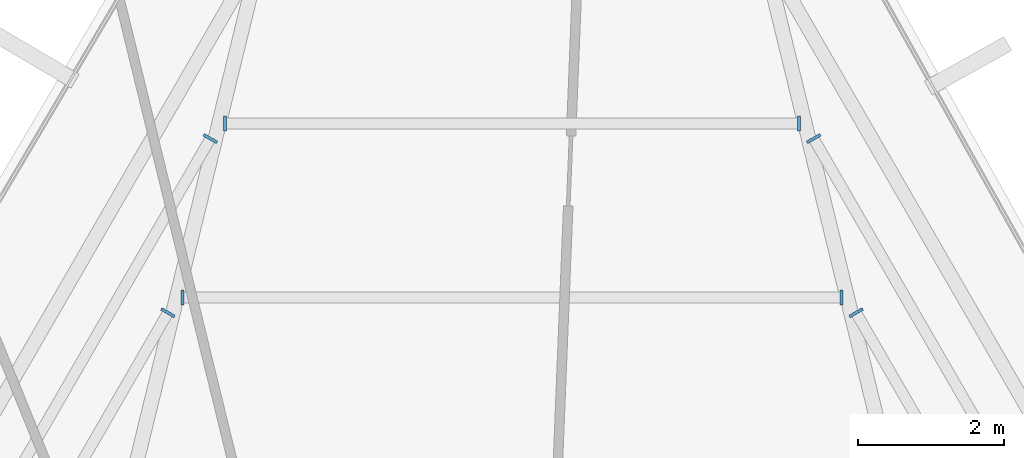
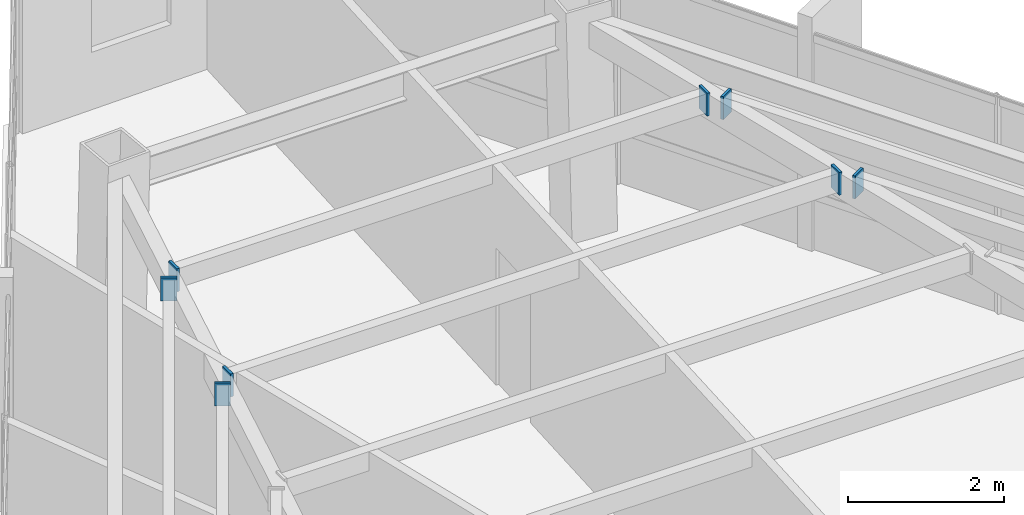
# One storey, part 42 of 48: 8 plates.
"""IFC4 building model written with IfcOpenShell, lengths in metres."""

from ifc_helpers import new_model, si_unit, direction, frame, origin, origin_2d, place, context, subcontext, project, spatial, rectangle, extrude, source, transform, mapped, material, layer, layer_set, type_object, type_shapes, element, save


model = new_model("IFC4")

# Units and contexts
model_context = context("Model", 3, precision=1e-05, world=origin(), true_north=direction((0.0, 1.0)))
body_context = subcontext(model_context, "Body", "Model", "MODEL_VIEW")
ifc_project = project(units=[si_unit("LENGTHUNIT", "METRE"), si_unit("AREAUNIT", "SQUARE_METRE"), si_unit("VOLUMEUNIT", "CUBIC_METRE"), si_unit("PLANEANGLEUNIT", "RADIAN"), si_unit("MASSUNIT", "GRAM", prefix="KILO")], contexts=[model_context])

# Site, building, storey
site_placement = place(None, origin())
site = spatial("IfcSite", under=ifc_project, at=site_placement, CompositionType="ELEMENT")
building_placement = place(site_placement, origin())
building = spatial("IfcBuilding", under=site, at=building_placement, Name="Caelisora Broadcast Tower", CompositionType="ELEMENT")
storey_placement = place(building_placement, frame((0.0, 0.0, 270.0)))
storey = spatial("IfcBuildingStorey", under=building, at=storey_placement, Name="L71", CompositionType="ELEMENT", Elevation=270.0)

# Plates
ifc_material = material(Name="Steel Grade 350 L15 (AS/NZS 3678)", Category="steel")
ifc_layer = layer(ifc_material, 0.0400390625, Name="Steel Grade 350 L15 (AS/NZS 3678)")
ifc_layer_set = layer_set([ifc_layer], Name="Steel Grade 350 L15 (AS/NZS 3678)")
plate_type = type_object("IfcPlateType", Name="GP04", PredefinedType="USERDEFINED", material=ifc_layer_set)
shared_shape = source(origin(), body_context, "Body", "SweptSolid", [
    extrude(rectangle(XDim=0.2099609375, YDim=0.0400390625, at=origin_2d()), origin(), (0.0, 0.0, 1.0), 0.360107421875),
])
type_shapes(plate_type, [shared_shape])
for number, where, z_axis, x_axis, name in (
    (1, (42.515625, 41.93212890625, 3.06982421875), (0.0, 0.0, 1.0), (0.0, -1.0, 0.0), "L71 gusset plate GP04 (ND-SB-L71-005A)"),
    (2, (33.484375, 41.93212890625, 3.06982421875), (0.0, 0.0, 1.0), (0.0, -1.0, 0.0), "L71 gusset plate GP04 (ND-SB-L71-005B)"),
    (3, (41.934814453125, 44.318603515625, 3.06982421875), (0.0, 0.0, 1.0), (0.0, -1.0, 0.0), "L71 gusset plate GP04 (ND-SB-L71-006A)"),
    (4, (34.065185546875, 44.318603515625, 3.06982421875), (0.0, 0.0, 1.0), (0.0, -1.0, 0.0), "L71 gusset plate GP04 (ND-SB-L71-006B)"),
    (5, (33.2841796875, 41.72412109375, 3.06982421875), (0.0, 0.0, 1.0), (0.866025403784, -0.5, 0.0), "L71 gusset plate GP04 (ND-SB-L71-010A)"),
    (6, (33.864990234375, 44.110595703125, 3.06982421875), (0.0, 0.0, 1.0), (0.866025403784, -0.5, 0.0), "L71 gusset plate GP04 (ND-SB-L71-011A)"),
    (7, (42.7158203125, 41.72412109375, 3.06982421875), (0.0, 0.0, 1.0), (-0.866025403784, -0.5, 0.0), "L71 gusset plate GP04 (ND-SB-L71-059B)"),
    (8, (42.135009765625, 44.110595703125, 3.06982421875), (0.0, 0.0, 1.0), (-0.866025403784, -0.5, 0.0), "L71 gusset plate GP04 (ND-SB-L71-060B)"),
):
    element("IfcPlate", number, at=place(storey_placement, frame(where, z_axis=z_axis, x_axis=x_axis)), inside=storey, type_object=plate_type, Name=name, ObjectType="GUSSET PLATE", PredefinedType="USERDEFINED", context=body_context, shape_type="MappedRepresentation", body=[
        mapped(shared_shape, transform((0.0, 0.0, 0.0), scale=1.0)),
    ])

save(model, "model.ifc")
